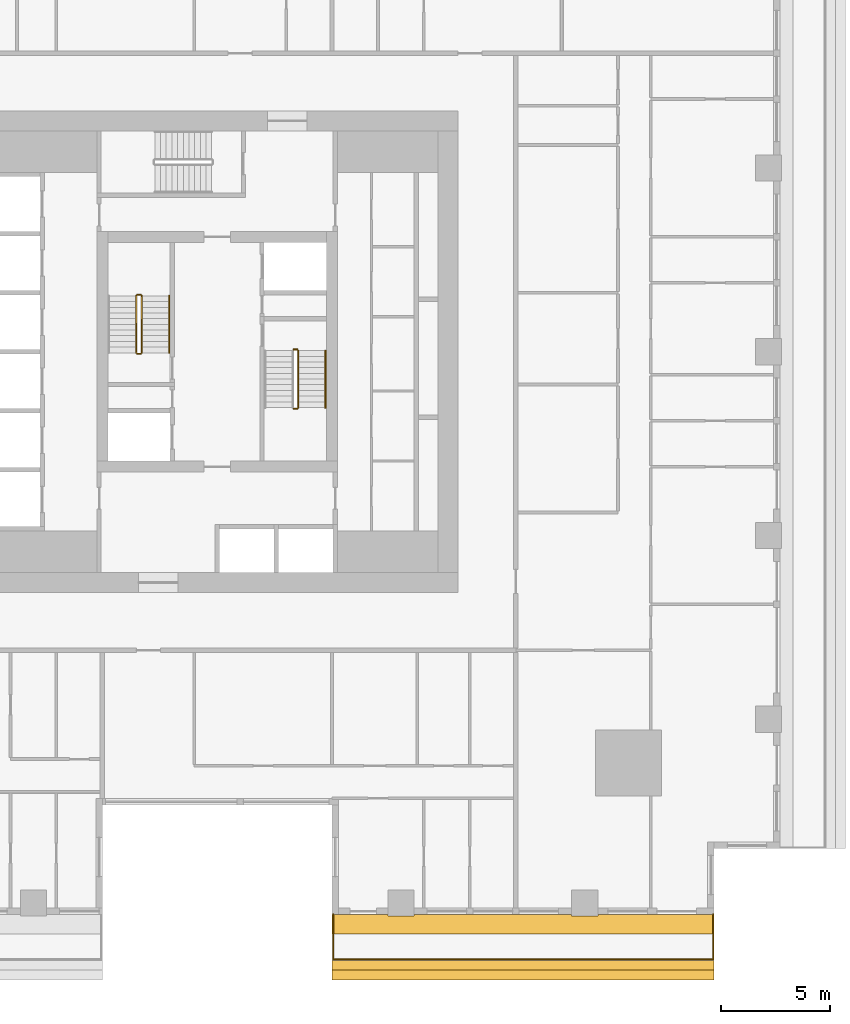
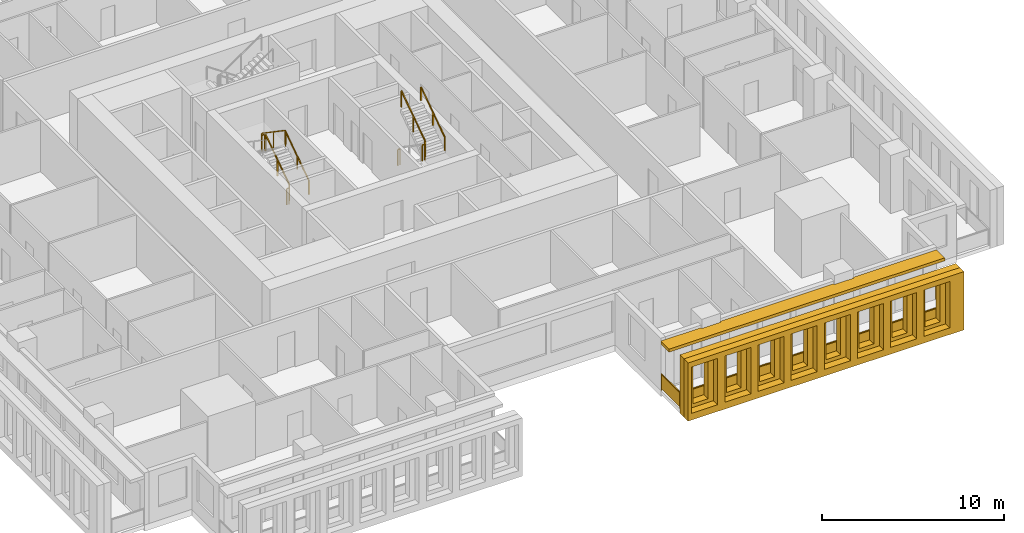
# One storey, part 12 of 15: 10 railings, 3 shading devices.
"""IFC4 building model written with IfcOpenShell, lengths in metres."""

from ifc_helpers import new_model, si_unit, direction, frame, origin, origin_2d, place, context, subcontext, project, spatial, polyline, rectangle, outline, extrude, material, layer, layer_set, type_object, element, save


model = new_model("IFC4")

# Units and contexts
model_context = context("Model", 3, precision=1e-05, world=origin(), true_north=direction((0.0, 1.0)))
body_context = subcontext(model_context, "Body", "Model", "MODEL_VIEW")
ifc_project = project(units=[si_unit("LENGTHUNIT", "METRE"), si_unit("AREAUNIT", "SQUARE_METRE"), si_unit("VOLUMEUNIT", "CUBIC_METRE"), si_unit("PLANEANGLEUNIT", "RADIAN"), si_unit("MASSUNIT", "GRAM", prefix="KILO")], contexts=[model_context])

# Site, building, storey
site_placement = place(None, origin())
site = spatial("IfcSite", under=ifc_project, at=site_placement, CompositionType="ELEMENT")
building_placement = place(site_placement, origin())
building = spatial("IfcBuilding", under=site, at=building_placement, Name="Khepri Terraces", CompositionType="ELEMENT")
storey_placement = place(building_placement, frame((0.0, 0.0, 38.699951171875)))
storey = spatial("IfcBuildingStorey", under=building, at=storey_placement, Name="L08", CompositionType="ELEMENT", Elevation=38.699951171875)

# Railings
ifc_material_1 = material(Name="Stainless steel grade 316", Category="steel")
railing_type_1 = type_object("IfcRailingType", Name="GRD-BAL-1100", PredefinedType="GUARDRAIL", material=ifc_material_1)
railing_1_placement = place(storey_placement, frame((5.300048828125, -25.719970703125, 0.0)))
element("IfcRailing", 1, at=railing_1_placement, inside=storey, type_object=railing_type_1, Name="Balcony guard L08 S", PredefinedType="GUARDRAIL", context=body_context, shape_type="SweptSolid", body=[
    extrude(rectangle(XDim=0.050048828125, YDim=0.06005859375, at=origin_2d()), frame((0.0, 0.0, 1.070068359375), z_axis=(0.0, -1.0, 0.0), x_axis=(1.0, 0.0, 0.0)), (0.0, 0.0, 1.0), 2.050048828125),
    extrude(rectangle(XDim=2.0, YDim=0.011962890625, at=origin_2d()), frame((0.0, -1.02490234375, 0.10009765625), z_axis=(0.0, 0.0, 1.0), x_axis=(0.0, -1.0, 0.0)), (0.0, 0.0, 1.0), 0.93994140625),
    extrude(rectangle(XDim=0.050048828125, YDim=0.06005859375, at=origin_2d()), frame((0.0, -2.050048828125, 1.070068359375), z_axis=(1.0, 0.0, 0.0), x_axis=(0.0, 1.0, 0.0)), (0.0, 0.0, 1.0), 17.369873046875),
    extrude(rectangle(XDim=2.12109375, YDim=0.011962890625, at=origin_2d()), frame((1.085693359375, -2.050048828125, 0.10009765625), z_axis=(0.0, 0.0, 1.0), x_axis=(1.0, 0.0, 0.0)), (0.0, 0.0, 1.0), 0.93994140625),
    extrude(rectangle(XDim=2.12109375, YDim=0.011962890625, at=origin_2d()), frame((3.2568359375, -2.050048828125, 0.10009765625), z_axis=(0.0, 0.0, 1.0), x_axis=(1.0, 0.0, 0.0)), (0.0, 0.0, 1.0), 0.93994140625),
    extrude(rectangle(XDim=2.12109375, YDim=0.011962890625, at=origin_2d()), frame((5.427978515625, -2.050048828125, 0.10009765625), z_axis=(0.0, 0.0, 1.0), x_axis=(1.0, 0.0, 0.0)), (0.0, 0.0, 1.0), 0.93994140625),
    extrude(rectangle(XDim=2.12109375, YDim=0.011962890625, at=origin_2d()), frame((7.599365234375, -2.050048828125, 0.10009765625), z_axis=(0.0, 0.0, 1.0), x_axis=(1.0, 0.0, 0.0)), (0.0, 0.0, 1.0), 0.93994140625),
    extrude(rectangle(XDim=2.12109375, YDim=0.011962890625, at=origin_2d()), frame((9.7705078125, -2.050048828125, 0.10009765625), z_axis=(0.0, 0.0, 1.0), x_axis=(1.0, 0.0, 0.0)), (0.0, 0.0, 1.0), 0.93994140625),
    extrude(rectangle(XDim=2.12109375, YDim=0.011962890625, at=origin_2d()), frame((11.94189453125, -2.050048828125, 0.10009765625), z_axis=(0.0, 0.0, 1.0), x_axis=(1.0, 0.0, 0.0)), (0.0, 0.0, 1.0), 0.93994140625),
    extrude(rectangle(XDim=2.12109375, YDim=0.011962890625, at=origin_2d()), frame((14.113037109375, -2.050048828125, 0.10009765625), z_axis=(0.0, 0.0, 1.0), x_axis=(1.0, 0.0, 0.0)), (0.0, 0.0, 1.0), 0.93994140625),
    extrude(rectangle(XDim=2.12109375, YDim=0.011962890625, at=origin_2d()), frame((16.2841796875, -2.050048828125, 0.10009765625), z_axis=(0.0, 0.0, 1.0), x_axis=(1.0, 0.0, 0.0)), (0.0, 0.0, 1.0), 0.93994140625),
    extrude(rectangle(XDim=0.050048828125, YDim=0.06005859375, at=origin_2d()), frame((17.369873046875, -2.050048828125, 1.070068359375), z_axis=(0.0, 1.0, 0.0), x_axis=(-1.0, 0.0, 0.0)), (0.0, 0.0, 1.0), 2.050048828125),
    extrude(rectangle(XDim=2.0, YDim=0.011962890625, at=origin_2d()), frame((17.369873046875, -1.02490234375, 0.10009765625), z_axis=(0.0, 0.0, 1.0), x_axis=(0.0, 1.0, 0.0)), (0.0, 0.0, 1.0), 0.93994140625),
    extrude(rectangle(XDim=0.050048828125, YDim=0.050048828125, at=origin_2d()), origin(), (0.0, 0.0, 1.0), 1.0400390625),
    extrude(rectangle(XDim=0.050048828125, YDim=0.050048828125, at=origin_2d()), frame((0.0, -2.050048828125, 0.0)), (0.0, 0.0, 1.0), 1.0400390625),
    extrude(rectangle(XDim=0.050048828125, YDim=0.050048828125, at=origin_2d()), frame((2.171142578125, -2.050048828125, 0.0)), (0.0, 0.0, 1.0), 1.0400390625),
    extrude(rectangle(XDim=0.050048828125, YDim=0.050048828125, at=origin_2d()), frame((4.342529296875, -2.050048828125, 0.0)), (0.0, 0.0, 1.0), 1.0400390625),
    extrude(rectangle(XDim=0.050048828125, YDim=0.050048828125, at=origin_2d()), frame((6.513671875, -2.050048828125, 0.0)), (0.0, 0.0, 1.0), 1.0400390625),
    extrude(rectangle(XDim=0.050048828125, YDim=0.050048828125, at=origin_2d()), frame((8.68505859375, -2.050048828125, 0.0)), (0.0, 0.0, 1.0), 1.0400390625),
    extrude(rectangle(XDim=0.050048828125, YDim=0.050048828125, at=origin_2d()), frame((10.856201171875, -2.050048828125, 0.0)), (0.0, 0.0, 1.0), 1.0400390625),
    extrude(rectangle(XDim=0.050048828125, YDim=0.050048828125, at=origin_2d()), frame((13.02734375, -2.050048828125, 0.0)), (0.0, 0.0, 1.0), 1.0400390625),
    extrude(rectangle(XDim=0.050048828125, YDim=0.050048828125, at=origin_2d()), frame((15.19873046875, -2.050048828125, 0.0)), (0.0, 0.0, 1.0), 1.0400390625),
    extrude(rectangle(XDim=0.050048828125, YDim=0.050048828125, at=origin_2d()), frame((17.369873046875, -2.050048828125, 0.0)), (0.0, 0.0, 1.0), 1.0400390625),
    extrude(rectangle(XDim=0.050048828125, YDim=0.050048828125, at=origin_2d()), frame((17.369873046875, 0.0, 0.0)), (0.0, 0.0, 1.0), 1.0400390625),
])
ifc_material_2 = material(Name="Stainless steel 316", Category="steel")
railing_type_2 = type_object("IfcRailingType", Name="RL-CORE-GUARD", PredefinedType="GUARDRAIL", material=ifc_material_2)
railing_2_placement = place(storey_placement, frame((-3.449951171875, -0.050048828125, 0.17724609375)))
element("IfcRailing", 2, at=railing_2_placement, inside=storey, type_object=railing_type_2, Name="L08 ST-1 stair guard 1", PredefinedType="GUARDRAIL", context=body_context, shape_type="SweptSolid", body=[
    extrude(rectangle(XDim=0.050048828125, YDim=0.06005859375, at=origin_2d()), frame((0.0, 0.0, 1.070068359375), z_axis=(0.0, 0.826240473404, 0.563317565952), x_axis=(-1.0, 0.0, 0.0)), (0.0, 0.0, 1.0), 3.14697265625),
    extrude(rectangle(XDim=0.050048828125, YDim=0.050048828125, at=origin_2d()), origin(), (0.0, 0.0, 1.0), 1.0400390625),
    extrude(rectangle(XDim=0.050048828125, YDim=0.050048828125, at=origin_2d()), frame((0.0, 1.300048828125, 0.88623046875)), (0.0, 0.0, 1.0), 1.0400390625),
    extrude(rectangle(XDim=0.050048828125, YDim=0.050048828125, at=origin_2d()), frame((0.0, 2.60009765625, 1.772705078125)), (0.0, 0.0, 1.0), 1.0400390625),
])
railing_3_placement = place(storey_placement, frame((-3.5, 2.60009765625, 1.949951171875)))
element("IfcRailing", 3, at=railing_3_placement, inside=storey, type_object=railing_type_2, Name="L08 ST-1 stair guard 2", PredefinedType="GUARDRAIL", context=body_context, shape_type="SweptSolid", body=[
    extrude(rectangle(XDim=0.050048828125, YDim=0.06005859375, at=origin_2d()), frame((0.0, 0.0, 1.070068359375), z_axis=(-1.0, 0.0, 0.0), x_axis=(0.0, -1.0, 0.0)), (0.0, 0.0, 1.0), 0.14990234375),
    extrude(rectangle(XDim=0.050048828125, YDim=0.050048828125, at=origin_2d()), origin(), (0.0, 0.0, 1.0), 1.0400390625),
    extrude(rectangle(XDim=0.050048828125, YDim=0.050048828125, at=origin_2d()), frame((-0.14990234375, 0.0, 0.0)), (0.0, 0.0, 1.0), 1.0400390625),
])
railing_4_placement = place(storey_placement, frame((-3.699951171875, 2.550048828125, 2.12744140625)))
element("IfcRailing", 4, at=railing_4_placement, inside=storey, type_object=railing_type_2, Name="L08 ST-1 stair guard 3", PredefinedType="GUARDRAIL", context=body_context, shape_type="SweptSolid", body=[
    extrude(rectangle(XDim=0.050048828125, YDim=0.06005859375, at=origin_2d()), frame((0.0, 0.0, 1.070068359375), z_axis=(0.0, -0.826240473404, 0.563317565952), x_axis=(1.0, 0.0, 0.0)), (0.0, 0.0, 1.0), 3.14697265625),
    extrude(rectangle(XDim=0.050048828125, YDim=0.050048828125, at=origin_2d()), origin(), (0.0, 0.0, 1.0), 1.0400390625),
    extrude(rectangle(XDim=0.050048828125, YDim=0.050048828125, at=origin_2d()), frame((0.0, -1.300048828125, 0.88623046875)), (0.0, 0.0, 1.0), 1.0400390625),
    extrude(rectangle(XDim=0.050048828125, YDim=0.050048828125, at=origin_2d()), frame((0.0, -2.60009765625, 1.772705078125)), (0.0, 0.0, 1.0), 1.0400390625),
])
railing_5_placement = place(storey_placement, frame((-3.5, -0.10009765625, 0.0)))
element("IfcRailing", 5, at=railing_5_placement, inside=storey, type_object=railing_type_2, Name="L08 ST-1 stair guard 4", PredefinedType="GUARDRAIL", context=body_context, shape_type="SweptSolid", body=[
    extrude(rectangle(XDim=0.050048828125, YDim=0.06005859375, at=origin_2d()), frame((0.0, 0.0, 1.070068359375), z_axis=(-1.0, 0.0, 0.0), x_axis=(0.0, -1.0, 0.0)), (0.0, 0.0, 1.0), 0.14990234375),
    extrude(rectangle(XDim=0.050048828125, YDim=0.050048828125, at=origin_2d()), origin(), (0.0, 0.0, 1.0), 1.0400390625),
    extrude(rectangle(XDim=0.050048828125, YDim=0.050048828125, at=origin_2d()), frame((-0.14990234375, 0.0, 0.0)), (0.0, 0.0, 1.0), 1.0400390625),
])
railing_6_placement = place(storey_placement, frame((3.5, -2.60009765625, 1.949951171875)))
element("IfcRailing", 6, at=railing_6_placement, inside=storey, type_object=railing_type_2, Name="L08 ST-2 stair guard 2", PredefinedType="GUARDRAIL", context=body_context, shape_type="SweptSolid", body=[
    extrude(rectangle(XDim=0.050048828125, YDim=0.06005859375, at=origin_2d()), frame((0.0, 0.0, 1.070068359375), z_axis=(1.0, 0.0, 0.0), x_axis=(0.0, 1.0, 0.0)), (0.0, 0.0, 1.0), 0.14990234375),
    extrude(rectangle(XDim=0.050048828125, YDim=0.050048828125, at=origin_2d()), origin(), (0.0, 0.0, 1.0), 1.0400390625),
    extrude(rectangle(XDim=0.050048828125, YDim=0.050048828125, at=origin_2d()), frame((0.14990234375, 0.0, 0.0)), (0.0, 0.0, 1.0), 1.0400390625),
])
railing_7_placement = place(storey_placement, frame((3.699951171875, -2.550048828125, 2.12744140625)))
element("IfcRailing", 7, at=railing_7_placement, inside=storey, type_object=railing_type_2, Name="L08 ST-2 stair guard 3", PredefinedType="GUARDRAIL", context=body_context, shape_type="SweptSolid", body=[
    extrude(rectangle(XDim=0.050048828125, YDim=0.06005859375, at=origin_2d()), frame((0.0, 0.0, 1.070068359375), z_axis=(0.0, 0.826240473404, 0.563317565952), x_axis=(-1.0, 0.0, 0.0)), (0.0, 0.0, 1.0), 3.14697265625),
    extrude(rectangle(XDim=0.050048828125, YDim=0.050048828125, at=origin_2d()), origin(), (0.0, 0.0, 1.0), 1.0400390625),
    extrude(rectangle(XDim=0.050048828125, YDim=0.050048828125, at=origin_2d()), frame((0.0, 1.300048828125, 0.88623046875)), (0.0, 0.0, 1.0), 1.0400390625),
    extrude(rectangle(XDim=0.050048828125, YDim=0.050048828125, at=origin_2d()), frame((0.0, 2.60009765625, 1.772705078125)), (0.0, 0.0, 1.0), 1.0400390625),
])
railing_8_placement = place(storey_placement, frame((3.5, 0.10009765625, 0.0)))
element("IfcRailing", 8, at=railing_8_placement, inside=storey, type_object=railing_type_2, Name="L08 ST-2 stair guard 4", PredefinedType="GUARDRAIL", context=body_context, shape_type="SweptSolid", body=[
    extrude(rectangle(XDim=0.050048828125, YDim=0.06005859375, at=origin_2d()), frame((0.0, 0.0, 1.070068359375), z_axis=(1.0, 0.0, 0.0), x_axis=(0.0, 1.0, 0.0)), (0.0, 0.0, 1.0), 0.14990234375),
    extrude(rectangle(XDim=0.050048828125, YDim=0.050048828125, at=origin_2d()), origin(), (0.0, 0.0, 1.0), 1.0400390625),
    extrude(rectangle(XDim=0.050048828125, YDim=0.050048828125, at=origin_2d()), frame((0.14990234375, 0.0, 0.0)), (0.0, 0.0, 1.0), 1.0400390625),
])
railing_type_3 = type_object("IfcRailingType", Name="RL-CORE-HANDRAIL", PredefinedType="HANDRAIL", material=ifc_material_2)
for number, where, name in (
    (9, (-2.199951171875, -0.050048828125, 0.17724609375), "L08 ST-1 stair handrail 1"),
    (10, (4.949951171875, -2.550048828125, 2.12744140625), "L08 ST-2 stair handrail 2"),
):
    element("IfcRailing", number, at=place(storey_placement, frame(where)), inside=storey, type_object=railing_type_3, Name=name, PredefinedType="HANDRAIL", context=body_context, shape_type="SweptSolid", body=[
        extrude(rectangle(XDim=0.050048828125, YDim=0.050048828125, at=origin_2d()), frame((0.0, 0.0, 0.875), z_axis=(0.0, 0.826240473404, 0.563317565952), x_axis=(-1.0, 0.0, 0.0)), (0.0, 0.0, 1.0), 3.14697265625),
        extrude(rectangle(XDim=0.050048828125, YDim=0.050048828125, at=origin_2d()), origin(), (0.0, 0.0, 1.0), 0.849853515625),
        extrude(rectangle(XDim=0.050048828125, YDim=0.050048828125, at=origin_2d()), frame((0.0, 1.300048828125, 0.88623046875)), (0.0, 0.0, 1.0), 0.849853515625),
        extrude(rectangle(XDim=0.050048828125, YDim=0.050048828125, at=origin_2d()), frame((0.0, 2.60009765625, 1.772705078125)), (0.0, 0.0, 1.0), 0.849853515625),
    ])

# Shading devices
ifc_material_3 = material(Name="Precast concrete C50/60 warm stone", Category="masonry")
shading_device_type_1 = type_object("IfcShadingDeviceType", Name="SCR-CELL-INNER-450", PredefinedType="USERDEFINED", material=ifc_material_3)
shading_device_1_placement = place(storey_placement, frame((5.25, -27.820068359375, -0.25), z_axis=(0.0, -1.0, 0.0), x_axis=(1.0, 0.0, 0.0)))
element("IfcShadingDevice", 11, at=shading_device_1_placement, inside=storey, type_object=shading_device_type_1, Name="Cell screen L08 S in", ObjectType="SCREEN", PredefinedType="USERDEFINED", context=body_context, shape_type="SweptSolid", body=[
    extrude(outline(polyline([(0.0, 0.0), (17.469970703125, 0.0), (17.469970703125, 3.89990234375), (0.0, 3.89990234375), (0.0, 0.0)]), holes=[polyline([(0.577392578125, 0.699951171875), (1.5224609375, 0.699951171875), (1.5224609375, 3.300048828125), (0.577392578125, 3.300048828125), (0.577392578125, 0.699951171875)]), polyline([(2.677490234375, 0.699951171875), (3.62255859375, 0.699951171875), (3.62255859375, 3.300048828125), (2.677490234375, 3.300048828125), (2.677490234375, 0.699951171875)]), polyline([(4.777587890625, 0.699951171875), (5.722412109375, 0.699951171875), (5.722412109375, 3.300048828125), (4.777587890625, 3.300048828125), (4.777587890625, 0.699951171875)]), polyline([(6.87744140625, 0.699951171875), (7.822509765625, 0.699951171875), (7.822509765625, 3.300048828125), (6.87744140625, 3.300048828125), (6.87744140625, 0.699951171875)]), polyline([(8.9775390625, 0.699951171875), (9.922607421875, 0.699951171875), (9.922607421875, 3.300048828125), (8.9775390625, 3.300048828125), (8.9775390625, 0.699951171875)]), polyline([(11.077392578125, 0.699951171875), (12.0224609375, 0.699951171875), (12.0224609375, 3.300048828125), (11.077392578125, 3.300048828125), (11.077392578125, 0.699951171875)]), polyline([(13.177490234375, 0.699951171875), (14.12255859375, 0.699951171875), (14.12255859375, 3.300048828125), (13.177490234375, 3.300048828125), (13.177490234375, 0.699951171875)]), polyline([(15.277587890625, 0.699951171875), (16.222412109375, 0.699951171875), (16.222412109375, 3.300048828125), (15.277587890625, 3.300048828125), (15.277587890625, 0.699951171875)])]), origin(), (0.0, 0.0, 1.0), 0.449951171875),
])
shading_device_type_2 = type_object("IfcShadingDeviceType", Name="SCR-CELL-OUTER-450", PredefinedType="USERDEFINED", material=ifc_material_3)
shading_device_2_placement = place(storey_placement, frame((5.25, -28.27001953125, -0.25), z_axis=(0.0, -1.0, 0.0), x_axis=(1.0, 0.0, 0.0)))
element("IfcShadingDevice", 12, at=shading_device_2_placement, inside=storey, type_object=shading_device_type_2, Name="Cell screen L08 S out", ObjectType="SCREEN", PredefinedType="USERDEFINED", context=body_context, shape_type="SweptSolid", body=[
    extrude(outline(polyline([(0.0, 0.0), (17.469970703125, 0.0), (17.469970703125, 3.89990234375), (0.0, 3.89990234375), (0.0, 0.0)]), holes=[polyline([(0.2275390625, 0.449951171875), (1.87255859375, 0.449951171875), (1.87255859375, 3.550048828125), (0.2275390625, 3.550048828125), (0.2275390625, 0.449951171875)]), polyline([(2.327392578125, 0.449951171875), (3.972412109375, 0.449951171875), (3.972412109375, 3.550048828125), (2.327392578125, 3.550048828125), (2.327392578125, 0.449951171875)]), polyline([(4.427490234375, 0.449951171875), (6.072509765625, 0.449951171875), (6.072509765625, 3.550048828125), (4.427490234375, 3.550048828125), (4.427490234375, 0.449951171875)]), polyline([(6.527587890625, 0.449951171875), (8.172607421875, 0.449951171875), (8.172607421875, 3.550048828125), (6.527587890625, 3.550048828125), (6.527587890625, 0.449951171875)]), polyline([(8.62744140625, 0.449951171875), (10.2724609375, 0.449951171875), (10.2724609375, 3.550048828125), (8.62744140625, 3.550048828125), (8.62744140625, 0.449951171875)]), polyline([(10.7275390625, 0.449951171875), (12.37255859375, 0.449951171875), (12.37255859375, 3.550048828125), (10.7275390625, 3.550048828125), (10.7275390625, 0.449951171875)]), polyline([(12.827392578125, 0.449951171875), (14.472412109375, 0.449951171875), (14.472412109375, 3.550048828125), (12.827392578125, 3.550048828125), (12.827392578125, 0.449951171875)]), polyline([(14.927490234375, 0.449951171875), (16.572509765625, 0.449951171875), (16.572509765625, 3.550048828125), (14.927490234375, 3.550048828125), (14.927490234375, 0.449951171875)])]), origin(), (0.0, 0.0, 1.0), 0.449951171875),
])
ifc_layer = layer(ifc_material_3, 0.199951171875, Name="Precast concrete C50/60 warm stone", Category="masonry")
ifc_layer_set = layer_set([ifc_layer], Name="Precast concrete C50/60 warm stone")
shading_device_type_3 = type_object("IfcShadingDeviceType", Name="SSH-BAND-STONE-200", PredefinedType="USERDEFINED", material=ifc_layer_set)
shading_device_3_placement = place(storey_placement, frame((0.0, 0.0, 3.10009765625)))
element("IfcShadingDevice", 13, at=shading_device_3_placement, inside=storey, type_object=shading_device_type_3, Name="Sunshade band L08 S", ObjectType="SUNSHADE", PredefinedType="USERDEFINED", context=body_context, shape_type="SweptSolid", body=[
    extrude(outline(polyline([(7.800048828125, -25.719970703125), (5.25, -25.719970703125), (5.25, -26.6201171875), (22.719970703125, -26.6201171875), (22.719970703125, -25.719970703125), (17.39990234375, -25.719970703125), (17.39990234375, -25.800048828125), (16.199951171875, -25.800048828125), (16.199951171875, -25.719970703125), (9.0, -25.719970703125), (9.0, -25.800048828125), (7.800048828125, -25.800048828125), (7.800048828125, -25.719970703125)])), origin(), (0.0, 0.0, 1.0), 0.199951171875),
])

save(model, "model.ifc")
